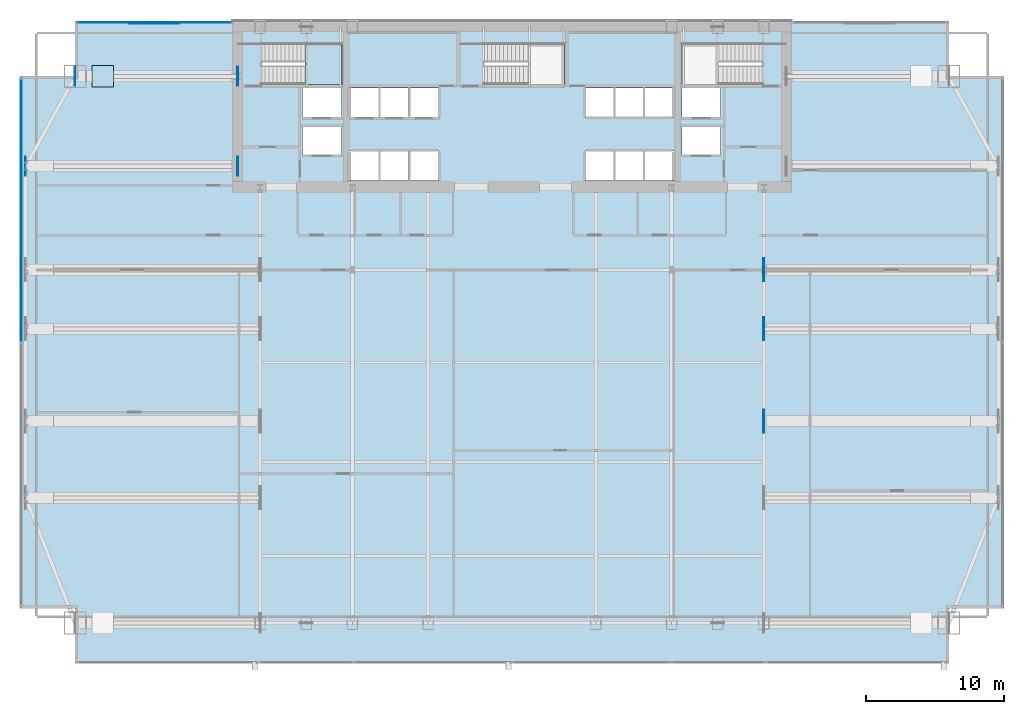
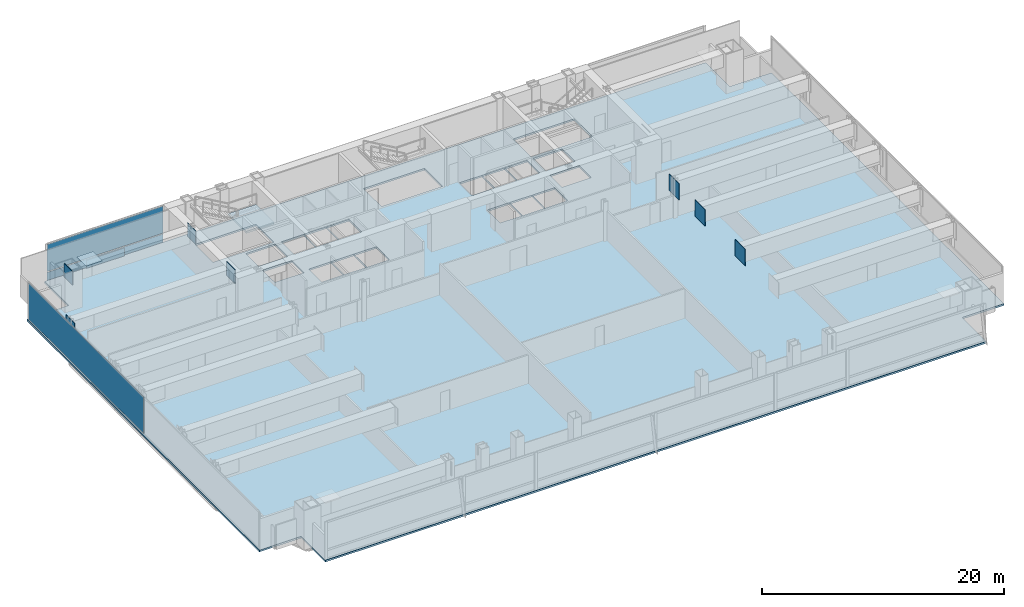
# One storey, part 24 of 32: 12 plates, 2 slabs, 3 elements without a shape of their own.
"""IFC4 building model written with IfcOpenShell, lengths in metres."""

from ifc_helpers import new_model, si_unit, direction, frame, origin, origin_2d, place, context, subcontext, project, spatial, polyline, rectangle, outline, extrude, material, layer, layer_set, type_object, element, aggregate, save


model = new_model("IFC4")

# Units and contexts
model_context = context("Model", 3, precision=1e-05, world=origin(), true_north=direction((0.0, 1.0)))
body_context = subcontext(model_context, "Body", "Model", "MODEL_VIEW")
ifc_project = project(units=[si_unit("LENGTHUNIT", "METRE"), si_unit("AREAUNIT", "SQUARE_METRE"), si_unit("VOLUMEUNIT", "CUBIC_METRE"), si_unit("PLANEANGLEUNIT", "RADIAN"), si_unit("MASSUNIT", "GRAM", prefix="KILO")], contexts=[model_context])

# Site, building, storey
site_placement = place(None, origin())
site = spatial("IfcSite", under=ifc_project, at=site_placement, CompositionType="ELEMENT")
building_placement = place(site_placement, origin())
building = spatial("IfcBuilding", under=site, at=building_placement, Name="Khoronbel Lancet Exchange", CompositionType="ELEMENT")
storey_placement = place(building_placement, frame((0.0, 0.0, 77.800048828125)))
storey = spatial("IfcBuildingStorey", under=building, at=storey_placement, Name="L18", CompositionType="ELEMENT", Elevation=77.800048828125)

# Curtain wall, plate
ifc_material_1 = material(Name="Low-E Solar Control Insulating Glass", Category="glass")
curtain_wall_type_1 = type_object("IfcCurtainWallType", Name="CW-4", PredefinedType="NOTDEFINED", material=ifc_material_1)
curtain_wall_1_placement = place(storey_placement, origin())
curtain_wall_1 = element("IfcCurtainWall", 1, at=curtain_wall_1_placement, inside=storey, type_object=curtain_wall_type_1, Name="Unitised curtain wall CW-L18-E03", PredefinedType="NOTDEFINED")
ifc_material_2 = material(Name="Bronze-Anodised Aluminium 6063-T6", Category="aluminium")
ifc_layer_1 = layer(ifc_material_2, 0.050048828125, Name="Bronze-Anodised Aluminium 6063-T6")
ifc_layer_set_1 = layer_set([ifc_layer_1], Name="Bronze-Anodised Aluminium 6063-T6")
plate_type_1 = type_object("IfcPlateType", Name="PLT-CSP1", PredefinedType="SHEET", material=ifc_layer_set_1)
plate_1_placement = place(storey_placement, frame((0.93994140625, 40.01123046875, 0.0849609375), z_axis=(0.0, 0.0, 1.0), x_axis=(0.0, 1.0, 0.0)))
plate_1 = element("IfcPlate", 2, at=plate_1_placement, type_object=plate_type_1, Name="CW4 panel 2.1", PredefinedType="CURTAIN_PANEL", context=body_context, shape_type="SweptSolid", body=[
    extrude(rectangle(XDim=19.047607421875, YDim=0.0380859375, at=origin_2d()), origin(), (0.0, 0.0, 1.0), 3.64990234375),
])
aggregate(curtain_wall_1, [plate_1])

# Curtain wall, plates
curtain_wall_type_2 = type_object("IfcCurtainWallType", Name="CW-1", PredefinedType="NOTDEFINED", material=ifc_material_1)
curtain_wall_2_placement = place(storey_placement, origin())
curtain_wall_2 = element("IfcCurtainWall", 3, at=curtain_wall_2_placement, inside=storey, type_object=curtain_wall_type_2, Name="Unitised curtain wall CW-L18-NWFLK", PredefinedType="NOTDEFINED")
plate_2_placement = place(storey_placement, frame((10.580078125, 53.550048828125, 0.0498046875), z_axis=(0.0, 0.0, 1.0), x_axis=(-1.0, 0.0, 0.0)))
plate_2 = element("IfcPlate", 4, at=plate_2_placement, type_object=plate_type_1, Name="Insulated bronze spandrel cassette CW-L18-NWFLK", PredefinedType="SHEET", context=body_context, shape_type="SweptSolid", body=[
    extrude(rectangle(XDim=3.60009765625, YDim=0.050048828125, at=origin_2d()), origin(), (0.0, 0.0, 1.0), 0.800048828125),
])
ifc_layer_2 = layer(ifc_material_1, 0.035888671875, Name="Low-E Solar Control Insulating Glass")
ifc_layer_set_2 = layer_set([ifc_layer_2], Name="Low-E Solar Control Insulating Glass")
plate_type_2 = type_object("IfcPlateType", Name="PLT-CWP1", PredefinedType="CURTAIN_PANEL", material=ifc_layer_set_2)
plate_3_placement = place(storey_placement, frame((10.580078125, 53.610107421875, 0.0849609375), z_axis=(0.0, 0.0, 1.0), x_axis=(-1.0, 0.0, 0.0)))
plate_3 = element("IfcPlate", 5, at=plate_3_placement, type_object=plate_type_2, Name="CW1 panel 1.1", PredefinedType="CURTAIN_PANEL", context=body_context, shape_type="SweptSolid", body=[
    extrude(rectangle(XDim=11.110107421875, YDim=0.0380859375, at=origin_2d()), origin(), (0.0, 0.0, 1.0), 0.822509765625),
])
plate_4_placement = place(storey_placement, frame((10.580078125, 53.610107421875, 0.99267578125), z_axis=(0.0, 0.0, 1.0), x_axis=(-1.0, 0.0, 0.0)))
plate_4 = element("IfcPlate", 6, at=plate_4_placement, type_object=plate_type_2, Name="CW1 panel 1.2", PredefinedType="CURTAIN_PANEL", context=body_context, shape_type="SweptSolid", body=[
    extrude(rectangle(XDim=11.110107421875, YDim=0.0380859375, at=origin_2d()), origin(), (0.0, 0.0, 1.0), 2.742431640625),
])
aggregate(curtain_wall_2, [plate_3, plate_4, plate_2])

# Plates
ifc_material_3 = material(Name="Steel S460", Category="steel")
ifc_layer_3 = layer(ifc_material_3, 0.044921875, Name="Steel S460")
ifc_layer_set_3 = layer_set([ifc_layer_3], Name="Steel S460")
plate_type_3 = type_object("IfcPlateType", Name="PLT-ECP1", PredefinedType="USERDEFINED", material=ifc_layer_set_3)
for number, where, z_axis, x_axis, name in (
    (7, (4.840087890625, 49.699951171875, 2.469970703125), (0.0, 0.0, 1.0), (-1.0, 0.0, 0.0), "Hollow end cap plate PLT-CAP-BM-L18-ZTG-MC-NW-0"),
    (8, (16.610107421875, 49.699951171875, 2.469970703125), (0.0, 0.0, 1.0), (1.0, 0.0, 0.0), "Hollow end cap plate PLT-CAP-BM-L18-ZTG-MC-NW-1"),
):
    element("IfcPlate", number, at=place(storey_placement, frame(where, z_axis=z_axis, x_axis=x_axis)), inside=storey, type_object=plate_type_3, Name=name, ObjectType="STIFFENER_PLATE", PredefinedType="USERDEFINED", context=body_context, shape_type="SweptSolid", body=[
        extrude(rectangle(XDim=0.044921875, YDim=1.3798828125, at=origin_2d()), origin(), (0.0, 0.0, 1.0), 1.3798828125),
    ])
for number, where, z_axis, x_axis, name in (
    (9, (54.6650390625, 24.75, 2.18994140625), (0.0, 0.0, 1.0), (-1.0, 0.0, 0.0), "Hollow end cap plate PLT-CAP-BM-L18-ZTG-LE2-0"),
    (10, (54.6650390625, 31.425048828125, 2.18994140625), (0.0, 0.0, 1.0), (-1.0, 0.0, 0.0), "Hollow end cap plate PLT-CAP-BM-L18-ZTG-LE3-0"),
    (11, (54.6650390625, 35.699951171875, 2.18994140625), (0.0, 0.0, 1.0), (-1.0, 0.0, 0.0), "Hollow end cap plate PLT-CAP-BM-L18-ZTG-LE4-0"),
):
    element("IfcPlate", number, at=place(storey_placement, frame(where, z_axis=z_axis, x_axis=x_axis)), inside=storey, type_object=plate_type_3, Name=name, ObjectType="STIFFENER_PLATE", PredefinedType="USERDEFINED", context=body_context, shape_type="SweptSolid", body=[
        extrude(rectangle(XDim=0.044921875, YDim=1.659912109375, at=origin_2d()), origin(), (0.0, 0.0, 1.0), 1.659912109375),
    ])
for number, where, z_axis, x_axis, name in (
    (12, (1.260009765625, 43.199951171875, 2.469970703125), (0.0, 0.0, 1.0), (-1.0, 0.0, 0.0), "Hollow end cap plate PLT-CAP-BM-L18-ZTG-LW5-0"),
    (13, (16.610107421875, 43.199951171875, 2.469970703125), (0.0, 0.0, 1.0), (1.0, 0.0, 0.0), "Hollow end cap plate PLT-CAP-BM-L18-ZTG-LW5-1"),
):
    element("IfcPlate", number, at=place(storey_placement, frame(where, z_axis=z_axis, x_axis=x_axis)), inside=storey, type_object=plate_type_3, Name=name, ObjectType="STIFFENER_PLATE", PredefinedType="USERDEFINED", context=body_context, shape_type="SweptSolid", body=[
        extrude(rectangle(XDim=0.044921875, YDim=1.3798828125, at=origin_2d()), origin(), (0.0, 0.0, 1.0), 1.3798828125),
    ])
plate_5_placement = place(storey_placement, frame((0.0, 0.0, 3.967041015625)))
element("IfcPlate", 14, at=plate_5_placement, inside=storey, type_object=plate_type_3, Name="Hollow end cap plate PLT-CAP-COL-L19-MC-NW-BOT", ObjectType="STIFFENER_PLATE", PredefinedType="USERDEFINED", context=body_context, shape_type="SweptSolid", body=[
    extrude(outline(polyline([(6.070068359375, 48.919921875), (7.6298828125, 48.919921875), (7.6298828125, 50.47998046875), (6.070068359375, 50.47998046875), (6.070068359375, 48.919921875)])), origin(), (0.0, 0.0, 1.0), 0.044921875),
])

# Slab
ifc_material_4 = material(Name="Concrete C40/50", Category="concrete")
ifc_layer_4 = layer(ifc_material_4, 0.179931640625, Name="Concrete C40/50")
ifc_layer_set_4 = layer_set([ifc_layer_4], Name="Concrete C40/50")
slab_type_1 = type_object("IfcSlabType", Name="SL-FL180", PredefinedType="FLOOR", material=ifc_layer_set_4)
slab_1_placement = place(storey_placement, frame((0.0, 0.0, -0.179931640625)))
element("IfcSlab", 15, at=slab_1_placement, inside=storey, type_object=slab_type_1, Name="Level L18 composite structural floor slab", PredefinedType="FLOOR", context=body_context, shape_type="SweptSolid", body=[
    extrude(outline(polyline([(4.85009765625, 7.199951171875), (68.050048828125, 7.199951171875), (68.050048828125, 11.199951171875), (72.050048828125, 11.199951171875), (72.050048828125, 15.199951171875), (72.050048828125, 45.699951171875), (72.050048828125, 49.699951171875), (68.050048828125, 49.699951171875), (68.050048828125, 53.699951171875), (4.85009765625, 53.699951171875), (4.85009765625, 49.699951171875), (0.85009765625, 49.699951171875), (0.85009765625, 45.699951171875), (0.85009765625, 15.199951171875), (0.85009765625, 11.199951171875), (4.85009765625, 11.199951171875), (4.85009765625, 7.199951171875)]), holes=[polyline([(18.324951171875, 49.1201171875), (24.14990234375, 49.1201171875), (24.14990234375, 52.10009765625), (18.324951171875, 52.10009765625), (18.324951171875, 49.1201171875)]), polyline([(48.75, 49.1201171875), (54.574951171875, 49.1201171875), (54.574951171875, 52.10009765625), (48.75, 52.10009765625), (48.75, 49.1201171875)]), polyline([(34.425048828125, 49.1201171875), (40.25, 49.1201171875), (40.25, 52.10009765625), (34.425048828125, 52.10009765625), (34.425048828125, 49.1201171875)]), polyline([(24.699951171875, 46.75), (26.840087890625, 46.75), (26.840087890625, 48.85009765625), (24.699951171875, 48.85009765625), (24.699951171875, 46.75)]), polyline([(26.860107421875, 46.75), (29.0, 46.75), (29.0, 48.85009765625), (26.860107421875, 48.85009765625), (26.860107421875, 46.75)]), polyline([(29.02001953125, 46.75), (31.159912109375, 46.75), (31.159912109375, 48.85009765625), (29.02001953125, 48.85009765625), (29.02001953125, 46.75)]), polyline([(24.699951171875, 42.14990234375), (26.840087890625, 42.14990234375), (26.840087890625, 44.300048828125), (24.699951171875, 44.300048828125), (24.699951171875, 42.14990234375)]), polyline([(26.860107421875, 42.14990234375), (29.0, 42.14990234375), (29.0, 44.300048828125), (26.860107421875, 44.300048828125), (26.860107421875, 42.14990234375)]), polyline([(29.02001953125, 42.14990234375), (31.159912109375, 42.14990234375), (31.159912109375, 44.300048828125), (29.02001953125, 44.300048828125), (29.02001953125, 42.14990234375)]), polyline([(41.739990234375, 46.75), (43.8798828125, 46.75), (43.8798828125, 48.85009765625), (41.739990234375, 48.85009765625), (41.739990234375, 46.75)]), polyline([(43.89990234375, 46.75), (46.0400390625, 46.75), (46.0400390625, 48.85009765625), (43.89990234375, 48.85009765625), (43.89990234375, 46.75)]), polyline([(46.06005859375, 46.75), (48.199951171875, 46.75), (48.199951171875, 48.85009765625), (46.06005859375, 48.85009765625), (46.06005859375, 46.75)]), polyline([(41.739990234375, 42.14990234375), (43.8798828125, 42.14990234375), (43.8798828125, 44.300048828125), (41.739990234375, 44.300048828125), (41.739990234375, 42.14990234375)]), polyline([(43.89990234375, 42.14990234375), (46.0400390625, 42.14990234375), (46.0400390625, 44.300048828125), (43.89990234375, 44.300048828125), (43.89990234375, 42.14990234375)]), polyline([(46.06005859375, 42.14990234375), (48.199951171875, 42.14990234375), (48.199951171875, 44.300048828125), (46.06005859375, 44.300048828125), (46.06005859375, 42.14990234375)]), polyline([(21.300048828125, 46.75), (24.10009765625, 46.75), (24.10009765625, 48.85009765625), (21.300048828125, 48.85009765625), (21.300048828125, 46.75)]), polyline([(48.75, 46.75), (51.550048828125, 46.75), (51.550048828125, 48.85009765625), (48.75, 48.85009765625), (48.75, 46.75)]), polyline([(21.300048828125, 44.050048828125), (24.10009765625, 44.050048828125), (24.10009765625, 46.050048828125), (21.300048828125, 46.050048828125), (21.300048828125, 44.050048828125)]), polyline([(48.75, 44.050048828125), (51.550048828125, 44.050048828125), (51.550048828125, 46.050048828125), (48.75, 46.050048828125), (48.75, 44.050048828125)])]), origin(), (0.0, 0.0, 1.0), 0.179931640625),
])

# Stair, slab
stair_type = type_object("IfcStairType", Name="STR-CORE150", PredefinedType="HALF_TURN_STAIR", material=ifc_material_4)
stair_placement = place(storey_placement, origin())
stair = element("IfcStair", 16, at=stair_placement, inside=storey, type_object=stair_type, Name="L18 Protected Exit Stair ST1", PredefinedType="HALF_TURN_STAIR")
ifc_layer_5 = layer(ifc_material_4, 0.199951171875, Name="Concrete C40/50")
ifc_layer_set_5 = layer_set([ifc_layer_5], Name="Concrete C40/50")
slab_type_2 = type_object("IfcSlabType", Name="SL-LND180", PredefinedType="LANDING", material=ifc_layer_set_5)
slab_2_placement = place(storey_placement, frame((0.0, 0.0, 1.800048828125)))
slab_2 = element("IfcSlab", 17, at=slab_2_placement, type_object=slab_type_2, Name="ST1 landing 1", PredefinedType="LANDING", context=body_context, shape_type="SweptSolid", body=[
    extrude(outline(polyline([(21.489990234375, 49.1201171875), (24.14990234375, 49.1201171875), (24.14990234375, 52.10009765625), (21.489990234375, 52.10009765625), (21.489990234375, 49.1201171875)])), origin(), (0.0, 0.0, 1.0), 0.199951171875),
])
aggregate(stair, [slab_2])

save(model, "model.ifc")
